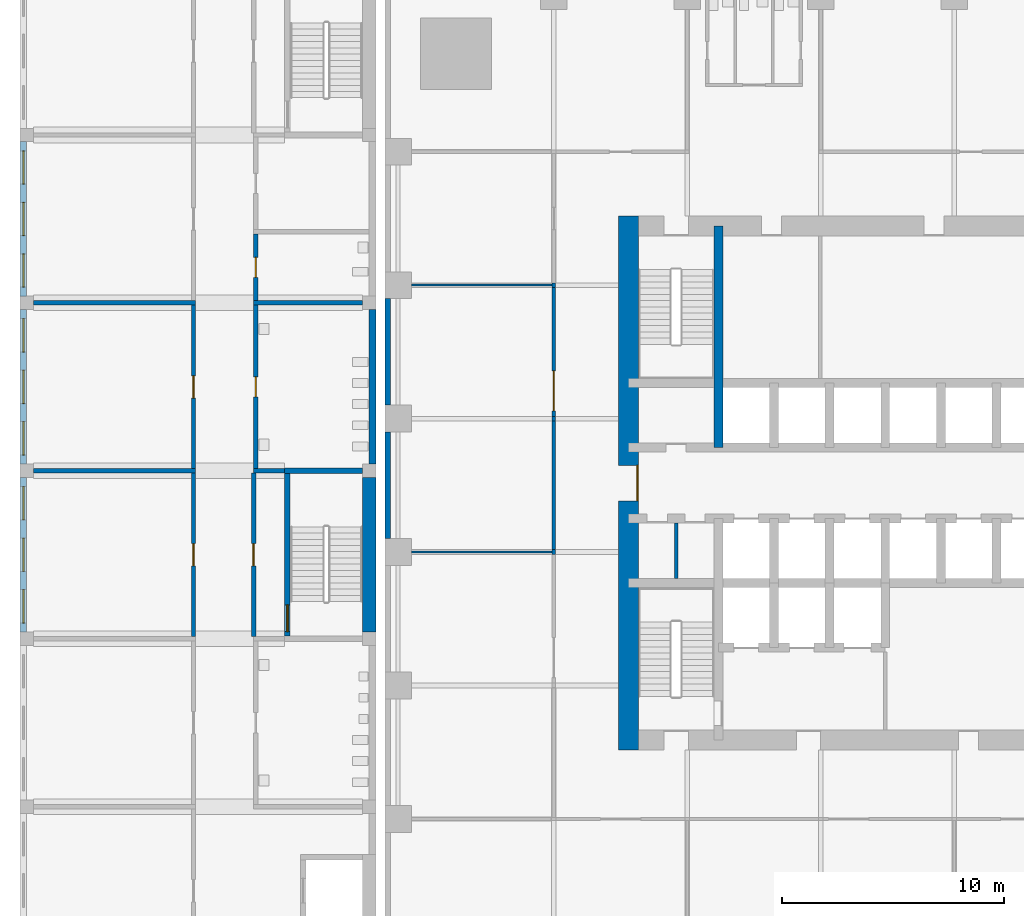
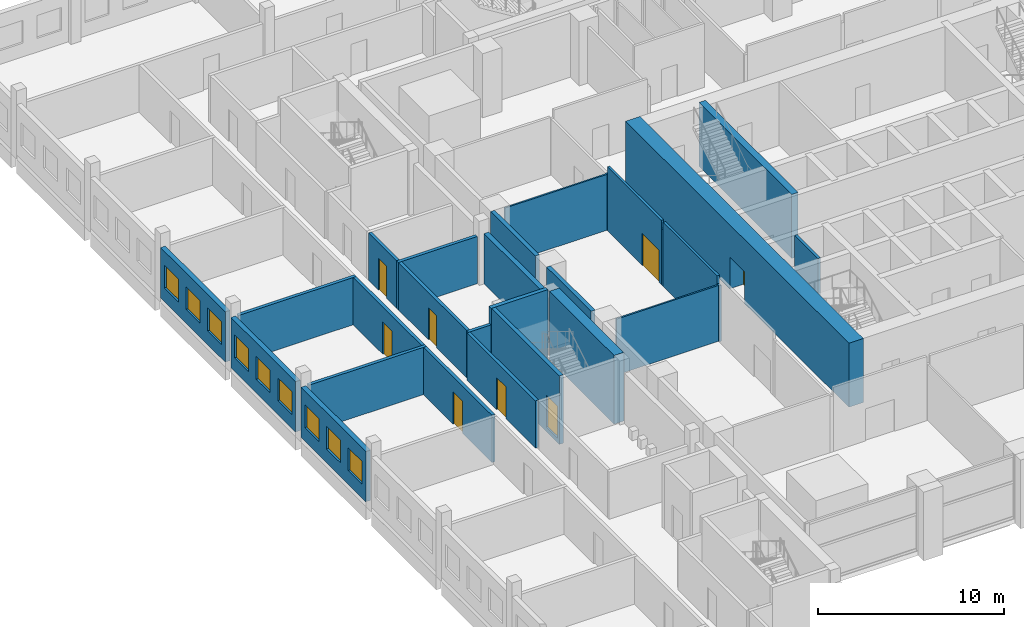
# One storey, part 20 of 34: 28 walls, 9 windows, 8 doors, 17 openings.
"""IFC4 building model written with IfcOpenShell, lengths in metres."""

from ifc_helpers import new_model, si_unit, direction, frame, frame_2d, origin, place, context, subcontext, project, spatial, rectangle, extrude, material, layer, layer_set, type_object, element, fill, save


model = new_model("IFC4")

# Units and contexts
model_context = context("Model", 3, precision=1e-05, world=origin(), true_north=direction((0.0, 1.0)))
body_context = subcontext(model_context, "Body", "Model", "MODEL_VIEW")
ifc_project = project(units=[si_unit("LENGTHUNIT", "METRE"), si_unit("AREAUNIT", "SQUARE_METRE"), si_unit("VOLUMEUNIT", "CUBIC_METRE"), si_unit("PLANEANGLEUNIT", "RADIAN"), si_unit("MASSUNIT", "GRAM", prefix="KILO")], contexts=[model_context])

# Site, building, storey
site_placement = place(None, origin())
site = spatial("IfcSite", under=ifc_project, at=site_placement, CompositionType="ELEMENT")
building_placement = place(site_placement, origin())
building = spatial("IfcBuilding", under=site, at=building_placement, Name="Amberfall Residences", CompositionType="ELEMENT")
storey_placement = place(building_placement, frame((0.0, 0.0, 5.5)))
storey = spatial("IfcBuildingStorey", under=building, at=storey_placement, Name="L01", CompositionType="ELEMENT", Elevation=5.5)

# Wall
ifc_material_1 = material(Name="Concrete C80", Category="concrete")
ifc_layer_1 = layer(ifc_material_1, 0.39990234375)
ifc_layer_set_1 = layer_set([ifc_layer_1], Name="Core wall 400 C80")
wall_type_1 = type_object("IfcWallType", Name="Core wall 400 C80", PredefinedType="SHEAR", material=ifc_layer_set_1)
wall_1_placement = place(storey_placement, frame((67.0, 47.10009765625, 0.0), z_axis=(0.0, 0.0, 1.0), x_axis=(0.0, 1.0, 0.0)))
element("IfcWall", 1, at=wall_1_placement, inside=storey, type_object=wall_type_1, Name="Core wall RW2 L01 V45N", PredefinedType="SHEAR", context=body_context, shape_type="SweptSolid", body=[
    extrude(rectangle(XDim=9.949951171875, YDim=0.39990234375, at=frame_2d((4.97509765625, 0.0))), origin(), (0.0, 0.0, 1.0), 4.199951171875),
])

# Wall, opening, door
ifc_layer_2 = layer(ifc_material_1, 0.89990234375)
ifc_layer_set_2 = layer_set([ifc_layer_2], Name="Core wall 900 C80")
wall_type_2 = type_object("IfcWallType", Name="Core wall 900 C80", PredefinedType="SHEAR", material=ifc_layer_set_2)
wall_2_placement = place(storey_placement, frame((62.949951171875, 33.5, 0.0), z_axis=(0.0, 0.0, 1.0), x_axis=(0.0, 1.0, 0.0)))
wall_2 = element("IfcWall", 2, at=wall_2_placement, inside=storey, type_object=wall_type_2, Name="Core wall RW1 L01 OW", PredefinedType="SHEAR", context=body_context, shape_type="SweptSolid", body=[
    extrude(rectangle(XDim=24.0, YDim=0.89990234375, at=frame_2d((12.0, 0.0))), origin(), (0.0, 0.0, 1.0), 4.199951171875),
])
opening_1_placement = place(wall_2_placement, frame((11.199951171875, 0.0, 0.0)))
opening_1 = element("IfcOpeningElement", 3, at=opening_1_placement, cuts=wall_2, Name="Opening LB1", PredefinedType="OPENING", context=body_context, shape_type="SweptSolid", body=[
    extrude(rectangle(XDim=1.60009765625, YDim=2.10009765625, at=frame_2d((0.800048828125, 1.050048828125))), frame((0.0, 0.4599609375, 0.0), z_axis=(0.0, -1.0, 0.0), x_axis=(1.0, 0.0, 0.0)), (0.0, 0.0, 1.0), 0.919921875),
])
ifc_material_2 = material(Name="Steel fire door set", Category="steel")
door_type_1 = type_object("IfcDoorType", Name="Lift lobby double door 1600 x 2100", OperationType="DOUBLE_DOOR_SINGLE_SWING", PredefinedType="DOOR", material=ifc_material_2)
door_1_placement = place(opening_1_placement, origin())
door_1 = element("IfcDoor", 4, at=door_1_placement, inside=storey, type_object=door_type_1, Name="LB1 L01", OperationType="DOUBLE_DOOR_SINGLE_SWING", OverallHeight=2.10009765625, OverallWidth=1.60009765625, PredefinedType="DOOR", context=body_context, shape_type="SweptSolid", body=[
    extrude(rectangle(XDim=1.60009765625, YDim=2.10009765625, at=frame_2d((0.800048828125, 1.050048828125))), frame((0.0, -0.3876953125, 0.0), z_axis=(0.0, -1.0, 0.0), x_axis=(1.0, 0.0, 0.0)), (0.0, 0.0, 1.0), 0.050048828125),
])
fill(opening_1, door_1)

# Walls
ifc_material_3 = material(Name="Gypsum board on steel studs", Category="steel")
ifc_layer_3 = layer(ifc_material_3, 0.10009765625)
ifc_layer_set_3 = layer_set([ifc_layer_3], Name="Partition 100")
wall_type_3 = type_object("IfcWallType", Name="Partition 100", PredefinedType="PARTITIONING", material=ifc_layer_set_3)
for number, where, z_axis, x_axis, name in (
    (5, (53.199951171875, 42.39990234375, 0.0), (0.0, 0.0, 1.0), (1.0, 0.0, 0.0), "Partition 100 L01 001"),
    (6, (53.199951171875, 54.39990234375, 0.0), (0.0, 0.0, 1.0), (1.0, 0.0, 0.0), "Partition 100 L01 002"),
):
    element("IfcWall", number, at=place(storey_placement, frame(where, z_axis=z_axis, x_axis=x_axis)), inside=storey, type_object=wall_type_3, Name=name, PredefinedType="PARTITIONING", context=body_context, shape_type="SweptSolid", body=[
        extrude(rectangle(XDim=6.324951171875, YDim=0.10009765625, at=frame_2d((3.16259765625, 0.0))), origin(), (0.0, 0.0, 1.0), 3.6669921875),
    ])
ifc_material_4 = material(Name="Fire-rated gypsum board on steel studs", Category="steel")
ifc_layer_4 = layer(ifc_material_4, 0.14990234375)
ifc_layer_set_4 = layer_set([ifc_layer_4], Name="Partition 150 fire-rated")
wall_type_4 = type_object("IfcWallType", Name="Partition 150 fire-rated", PredefinedType="PARTITIONING", material=ifc_layer_set_4)
wall_3_placement = place(storey_placement, frame((59.60009765625, 42.29541015625, 0.0), z_axis=(0.0, 0.0, 1.0), x_axis=(0.0, 1.0, 0.0)))
element("IfcWall", 7, at=wall_3_placement, inside=storey, type_object=wall_type_4, Name="Partition 150 fire-rated L01 031", PredefinedType="PARTITIONING", context=body_context, shape_type="SweptSolid", body=[
    extrude(rectangle(XDim=0.209228515625, YDim=0.14990234375, at=frame_2d((0.1044921875, 0.0))), origin(), (0.0, 0.0, 1.0), 3.6669921875),
])
wall_4_placement = place(storey_placement, frame((59.60009765625, 42.504638671875, 0.0), z_axis=(0.0, 0.0, 1.0), x_axis=(0.0, 1.0, 0.0)))
element("IfcWall", 8, at=wall_4_placement, inside=storey, type_object=wall_type_4, Name="Partition 150 fire-rated L01 032", PredefinedType="PARTITIONING", context=body_context, shape_type="SweptSolid", body=[
    extrude(rectangle(XDim=5.790771484375, YDim=0.14990234375, at=frame_2d((2.8955078125, 0.0))), origin(), (0.0, 0.0, 1.0), 4.199951171875),
])
wall_5_placement = place(storey_placement, frame((59.60009765625, 48.29541015625, 0.0), z_axis=(0.0, 0.0, 1.0), x_axis=(0.0, 1.0, 0.0)))
element("IfcWall", 9, at=wall_5_placement, inside=storey, type_object=wall_type_4, Name="Partition 150 fire-rated L01 033", PredefinedType="PARTITIONING", context=body_context, shape_type="SweptSolid", body=[
    extrude(rectangle(XDim=0.209228515625, YDim=0.14990234375, at=frame_2d((0.1044921875, 0.0))), origin(), (0.0, 0.0, 1.0), 3.6669921875),
])

# Wall, opening, door
wall_6_placement = place(storey_placement, frame((59.60009765625, 48.504638671875, 0.0), z_axis=(0.0, 0.0, 1.0), x_axis=(0.0, 1.0, 0.0)))
wall_6 = element("IfcWall", 10, at=wall_6_placement, inside=storey, type_object=wall_type_4, Name="Partition 150 fire-rated L01 034", PredefinedType="PARTITIONING", context=body_context, shape_type="SweptSolid", body=[
    extrude(rectangle(XDim=5.790771484375, YDim=0.14990234375, at=frame_2d((2.8955078125, 0.0))), origin(), (0.0, 0.0, 1.0), 4.199951171875),
])
opening_2_placement = place(wall_6_placement, frame((0.245361328125, 0.0, 0.0)))
opening_2 = element("IfcOpeningElement", 11, at=opening_2_placement, cuts=wall_6, Name="Opening D5", PredefinedType="OPENING", context=body_context, shape_type="SweptSolid", body=[
    extrude(rectangle(XDim=1.800048828125, YDim=2.10009765625, at=frame_2d((0.89990234375, 1.050048828125))), frame((0.0, 0.0849609375, 0.0), z_axis=(0.0, -1.0, 0.0), x_axis=(1.0, 0.0, 0.0)), (0.0, 0.0, 1.0), 0.169921875),
])
ifc_material_5 = material(Name="Timber veneer door leaf", Category="wood")
door_type_2 = type_object("IfcDoorType", Name="Double door 1800x2100", OperationType="DOUBLE_DOOR_SINGLE_SWING", PredefinedType="DOOR", material=ifc_material_5)
door_2_placement = place(opening_2_placement, origin())
door_2 = element("IfcDoor", 12, at=door_2_placement, inside=storey, type_object=door_type_2, Name="Door Table tennis room", OperationType="DOUBLE_DOOR_SINGLE_SWING", OverallHeight=2.10009765625, OverallWidth=1.800048828125, PredefinedType="DOOR", context=body_context, shape_type="SweptSolid", body=[
    extrude(rectangle(XDim=1.800048828125, YDim=2.10009765625, at=frame_2d((0.89990234375, 1.050048828125))), frame((0.0, 0.02490234375, 0.0), z_axis=(0.0, -1.0, 0.0), x_axis=(1.0, 0.0, 0.0)), (0.0, 0.0, 1.0), 0.050048828125),
])
fill(opening_2, door_2)

# Walls
wall_7_placement = place(storey_placement, frame((59.60009765625, 54.29541015625, 0.0), z_axis=(0.0, 0.0, 1.0), x_axis=(0.0, 1.0, 0.0)))
element("IfcWall", 13, at=wall_7_placement, inside=storey, type_object=wall_type_4, Name="Partition 150 fire-rated L01 035", PredefinedType="PARTITIONING", context=body_context, shape_type="SweptSolid", body=[
    extrude(rectangle(XDim=0.2041015625, YDim=0.14990234375, at=frame_2d((0.10205078125, 0.0))), origin(), (0.0, 0.0, 1.0), 3.6669921875),
])
ifc_material_6 = material(Name="Precast concrete C40", Category="concrete")
ifc_layer_5 = layer(ifc_material_6, 0.25)
ifc_layer_set_5 = layer_set([ifc_layer_5], Name="Podium external wall 250")
wall_type_5 = type_object("IfcWallType", Name="Podium external wall 250", PredefinedType="SOLIDWALL", material=ifc_layer_set_5)
for number, where, z_axis, x_axis, name in (
    (14, (52.125, 43.0, 0.0), (0.0, 0.0, 1.0), (0.0, 1.0, 0.0), "Podium external wall W4"),
    (15, (52.125, 49.0, 0.0), (0.0, 0.0, 1.0), (0.0, 1.0, 0.0), "Podium external wall W5"),
):
    element("IfcWall", number, at=place(storey_placement, frame(where, z_axis=z_axis, x_axis=x_axis)), inside=storey, type_object=wall_type_5, Name=name, PredefinedType="SOLIDWALL", context=body_context, shape_type="SweptSolid", body=[
        extrude(rectangle(XDim=4.800048828125, YDim=0.25, at=frame_2d((2.39990234375, 0.0))), origin(), (0.0, 0.0, 1.0), 4.199951171875),
    ])
ifc_material_7 = material(Name="Concrete blockwork", Category="masonry")
ifc_layer_6 = layer(ifc_material_7, 0.14990234375)
ifc_layer_set_6 = layer_set([ifc_layer_6], Name="Riser wall 150")
wall_type_6 = type_object("IfcWallType", Name="Riser wall 150", PredefinedType="PLUMBINGWALL", material=ifc_layer_set_6)
wall_8_placement = place(storey_placement, frame((65.10009765625, 41.199951171875, 0.0), z_axis=(0.0, 0.0, 1.0), x_axis=(0.0, 1.0, 0.0)))
element("IfcWall", 16, at=wall_8_placement, inside=storey, type_object=wall_type_6, Name="L01 core wall ASW0", PredefinedType="PLUMBINGWALL", context=body_context, shape_type="SweptSolid", body=[
    extrude(rectangle(XDim=2.5, YDim=0.14990234375, at=frame_2d((1.25, 0.0))), origin(), (0.0, 0.0, 1.0), 4.199951171875),
])

# Wall, openings, windows
ifc_material_8 = material(Name="Aerated block wall")
ifc_layer_7 = layer(ifc_material_8, 0.300048828125)
ifc_layer_set_7 = layer_set([ifc_layer_7], Name="School external wall 300")
wall_type_7 = type_object("IfcWallType", Name="School external wall 300", PredefinedType="SOLIDWALL", material=ifc_layer_set_7)
wall_9_placement = place(storey_placement, frame((35.75, 38.800048828125, 0.0), z_axis=(0.0, 0.0, 1.0), x_axis=(0.0, 1.0, 0.0)))
wall_9 = element("IfcWall", 17, at=wall_9_placement, inside=storey, type_object=wall_type_7, Name="School external wall L01 EW4", PredefinedType="SOLIDWALL", context=body_context, shape_type="SweptSolid", body=[
    extrude(rectangle(XDim=6.949951171875, YDim=0.300048828125, at=frame_2d((3.47509765625, 0.0))), origin(), (0.0, 0.0, 1.0), 3.300048828125),
])
opening_3_placement = place(wall_9_placement, frame((0.408203125, 0.0, 0.89990234375)))
opening_3 = element("IfcOpeningElement", 18, at=opening_3_placement, cuts=wall_9, Name="Opening SWN1", PredefinedType="OPENING", context=body_context, shape_type="SweptSolid", body=[
    extrude(rectangle(XDim=1.5, YDim=1.5, at=frame_2d((0.75, 0.75))), frame((0.0, 0.159912109375, 0.0), z_axis=(0.0, -1.0, 0.0), x_axis=(1.0, 0.0, 0.0)), (0.0, 0.0, 1.0), 0.320068359375),
])
opening_4_placement = place(wall_9_placement, frame((2.72509765625, 0.0, 0.89990234375)))
opening_4 = element("IfcOpeningElement", 19, at=opening_4_placement, cuts=wall_9, Name="Opening SWN1", PredefinedType="OPENING", context=body_context, shape_type="SweptSolid", body=[
    extrude(rectangle(XDim=1.5, YDim=1.5, at=frame_2d((0.75, 0.75))), frame((0.0, 0.159912109375, 0.0), z_axis=(0.0, -1.0, 0.0), x_axis=(1.0, 0.0, 0.0)), (0.0, 0.0, 1.0), 0.320068359375),
])
opening_5_placement = place(wall_9_placement, frame((5.041748046875, 0.0, 0.89990234375)))
opening_5 = element("IfcOpeningElement", 20, at=opening_5_placement, cuts=wall_9, Name="Opening SWN1", PredefinedType="OPENING", context=body_context, shape_type="SweptSolid", body=[
    extrude(rectangle(XDim=1.5, YDim=1.5, at=frame_2d((0.75, 0.75))), frame((0.0, 0.159912109375, 0.0), z_axis=(0.0, -1.0, 0.0), x_axis=(1.0, 0.0, 0.0)), (0.0, 0.0, 1.0), 0.320068359375),
])
ifc_material_9 = material(Name="Aluminium window", Category="aluminium")
window_type = type_object("IfcWindowType", Name="School window 1500 x 1500", PartitioningType="DOUBLE_PANEL_HORIZONTAL", PredefinedType="WINDOW", material=ifc_material_9)
window_1_placement = place(opening_3_placement, origin())
window_1 = element("IfcWindow", 21, at=window_1_placement, inside=storey, type_object=window_type, Name="School window L01 EW4-1", OverallHeight=1.5, OverallWidth=1.5, PartitioningType="DOUBLE_PANEL_HORIZONTAL", PredefinedType="WINDOW", context=body_context, shape_type="SweptSolid", body=[
    extrude(rectangle(XDim=1.5, YDim=1.5, at=frame_2d((0.75, 0.75))), frame((0.0, 0.030029296875, 0.0), z_axis=(0.0, -1.0, 0.0), x_axis=(1.0, 0.0, 0.0)), (0.0, 0.0, 1.0), 0.06005859375),
])
fill(opening_3, window_1)
window_2_placement = place(opening_4_placement, origin())
window_2 = element("IfcWindow", 22, at=window_2_placement, inside=storey, type_object=window_type, Name="School window L01 EW4-2", OverallHeight=1.5, OverallWidth=1.5, PartitioningType="DOUBLE_PANEL_HORIZONTAL", PredefinedType="WINDOW", context=body_context, shape_type="SweptSolid", body=[
    extrude(rectangle(XDim=1.5, YDim=1.5, at=frame_2d((0.75, 0.75))), frame((0.0, 0.030029296875, 0.0), z_axis=(0.0, -1.0, 0.0), x_axis=(1.0, 0.0, 0.0)), (0.0, 0.0, 1.0), 0.06005859375),
])
fill(opening_4, window_2)
window_3_placement = place(opening_5_placement, origin())
window_3 = element("IfcWindow", 23, at=window_3_placement, inside=storey, type_object=window_type, Name="School window L01 EW4-3", OverallHeight=1.5, OverallWidth=1.5, PartitioningType="DOUBLE_PANEL_HORIZONTAL", PredefinedType="WINDOW", context=body_context, shape_type="SweptSolid", body=[
    extrude(rectangle(XDim=1.5, YDim=1.5, at=frame_2d((0.75, 0.75))), frame((0.0, 0.030029296875, 0.0), z_axis=(0.0, -1.0, 0.0), x_axis=(1.0, 0.0, 0.0)), (0.0, 0.0, 1.0), 0.06005859375),
])
fill(opening_5, window_3)

wall_10_placement = place(storey_placement, frame((35.75, 46.35009765625, 0.0), z_axis=(0.0, 0.0, 1.0), x_axis=(0.0, 1.0, 0.0)))
wall_10 = element("IfcWall", 24, at=wall_10_placement, inside=storey, type_object=wall_type_7, Name="School external wall L01 EW5", PredefinedType="SOLIDWALL", context=body_context, shape_type="SweptSolid", body=[
    extrude(rectangle(XDim=6.949951171875, YDim=0.300048828125, at=frame_2d((3.47509765625, 0.0))), origin(), (0.0, 0.0, 1.0), 3.300048828125),
])
opening_6_placement = place(wall_10_placement, frame((0.408203125, 0.0, 0.89990234375)))
opening_6 = element("IfcOpeningElement", 25, at=opening_6_placement, cuts=wall_10, Name="Opening SWN1", PredefinedType="OPENING", context=body_context, shape_type="SweptSolid", body=[
    extrude(rectangle(XDim=1.5, YDim=1.5, at=frame_2d((0.75, 0.75))), frame((0.0, 0.159912109375, 0.0), z_axis=(0.0, -1.0, 0.0), x_axis=(1.0, 0.0, 0.0)), (0.0, 0.0, 1.0), 0.320068359375),
])
opening_7_placement = place(wall_10_placement, frame((2.72509765625, 0.0, 0.89990234375)))
opening_7 = element("IfcOpeningElement", 26, at=opening_7_placement, cuts=wall_10, Name="Opening SWN1", PredefinedType="OPENING", context=body_context, shape_type="SweptSolid", body=[
    extrude(rectangle(XDim=1.5, YDim=1.5, at=frame_2d((0.75, 0.75))), frame((0.0, 0.159912109375, 0.0), z_axis=(0.0, -1.0, 0.0), x_axis=(1.0, 0.0, 0.0)), (0.0, 0.0, 1.0), 0.320068359375),
])
opening_8_placement = place(wall_10_placement, frame((5.041748046875, 0.0, 0.89990234375)))
opening_8 = element("IfcOpeningElement", 27, at=opening_8_placement, cuts=wall_10, Name="Opening SWN1", PredefinedType="OPENING", context=body_context, shape_type="SweptSolid", body=[
    extrude(rectangle(XDim=1.5, YDim=1.5, at=frame_2d((0.75, 0.75))), frame((0.0, 0.159912109375, 0.0), z_axis=(0.0, -1.0, 0.0), x_axis=(1.0, 0.0, 0.0)), (0.0, 0.0, 1.0), 0.320068359375),
])
window_4_placement = place(opening_6_placement, origin())
window_4 = element("IfcWindow", 28, at=window_4_placement, inside=storey, type_object=window_type, Name="School window L01 EW5-1", OverallHeight=1.5, OverallWidth=1.5, PartitioningType="DOUBLE_PANEL_HORIZONTAL", PredefinedType="WINDOW", context=body_context, shape_type="SweptSolid", body=[
    extrude(rectangle(XDim=1.5, YDim=1.5, at=frame_2d((0.75, 0.75))), frame((0.0, 0.030029296875, 0.0), z_axis=(0.0, -1.0, 0.0), x_axis=(1.0, 0.0, 0.0)), (0.0, 0.0, 1.0), 0.06005859375),
])
fill(opening_6, window_4)
window_5_placement = place(opening_7_placement, origin())
window_5 = element("IfcWindow", 29, at=window_5_placement, inside=storey, type_object=window_type, Name="School window L01 EW5-2", OverallHeight=1.5, OverallWidth=1.5, PartitioningType="DOUBLE_PANEL_HORIZONTAL", PredefinedType="WINDOW", context=body_context, shape_type="SweptSolid", body=[
    extrude(rectangle(XDim=1.5, YDim=1.5, at=frame_2d((0.75, 0.75))), frame((0.0, 0.030029296875, 0.0), z_axis=(0.0, -1.0, 0.0), x_axis=(1.0, 0.0, 0.0)), (0.0, 0.0, 1.0), 0.06005859375),
])
fill(opening_7, window_5)
window_6_placement = place(opening_8_placement, origin())
window_6 = element("IfcWindow", 30, at=window_6_placement, inside=storey, type_object=window_type, Name="School window L01 EW5-3", OverallHeight=1.5, OverallWidth=1.5, PartitioningType="DOUBLE_PANEL_HORIZONTAL", PredefinedType="WINDOW", context=body_context, shape_type="SweptSolid", body=[
    extrude(rectangle(XDim=1.5, YDim=1.5, at=frame_2d((0.75, 0.75))), frame((0.0, 0.030029296875, 0.0), z_axis=(0.0, -1.0, 0.0), x_axis=(1.0, 0.0, 0.0)), (0.0, 0.0, 1.0), 0.06005859375),
])
fill(opening_8, window_6)

wall_11_placement = place(storey_placement, frame((35.75, 53.89990234375, 0.0), z_axis=(0.0, 0.0, 1.0), x_axis=(0.0, 1.0, 0.0)))
wall_11 = element("IfcWall", 31, at=wall_11_placement, inside=storey, type_object=wall_type_7, Name="School external wall L01 EW6", PredefinedType="SOLIDWALL", context=body_context, shape_type="SweptSolid", body=[
    extrude(rectangle(XDim=6.9501953125, YDim=0.300048828125, at=frame_2d((3.47509765625, 0.0))), origin(), (0.0, 0.0, 1.0), 3.300048828125),
])
opening_9_placement = place(wall_11_placement, frame((0.408203125, 0.0, 0.89990234375)))
opening_9 = element("IfcOpeningElement", 32, at=opening_9_placement, cuts=wall_11, Name="Opening SWN1", PredefinedType="OPENING", context=body_context, shape_type="SweptSolid", body=[
    extrude(rectangle(XDim=1.5, YDim=1.5, at=frame_2d((0.75, 0.75))), frame((0.0, 0.159912109375, 0.0), z_axis=(0.0, -1.0, 0.0), x_axis=(1.0, 0.0, 0.0)), (0.0, 0.0, 1.0), 0.320068359375),
])
opening_10_placement = place(wall_11_placement, frame((2.72509765625, 0.0, 0.89990234375)))
opening_10 = element("IfcOpeningElement", 33, at=opening_10_placement, cuts=wall_11, Name="Opening SWN1", PredefinedType="OPENING", context=body_context, shape_type="SweptSolid", body=[
    extrude(rectangle(XDim=1.5, YDim=1.5, at=frame_2d((0.75, 0.75))), frame((0.0, 0.159912109375, 0.0), z_axis=(0.0, -1.0, 0.0), x_axis=(1.0, 0.0, 0.0)), (0.0, 0.0, 1.0), 0.320068359375),
])
opening_11_placement = place(wall_11_placement, frame((5.041748046875, 0.0, 0.89990234375)))
opening_11 = element("IfcOpeningElement", 34, at=opening_11_placement, cuts=wall_11, Name="Opening SWN1", PredefinedType="OPENING", context=body_context, shape_type="SweptSolid", body=[
    extrude(rectangle(XDim=1.5, YDim=1.5, at=frame_2d((0.75, 0.75))), frame((0.0, 0.159912109375, 0.0), z_axis=(0.0, -1.0, 0.0), x_axis=(1.0, 0.0, 0.0)), (0.0, 0.0, 1.0), 0.320068359375),
])
window_7_placement = place(opening_9_placement, origin())
window_7 = element("IfcWindow", 35, at=window_7_placement, inside=storey, type_object=window_type, Name="School window L01 EW6-1", OverallHeight=1.5, OverallWidth=1.5, PartitioningType="DOUBLE_PANEL_HORIZONTAL", PredefinedType="WINDOW", context=body_context, shape_type="SweptSolid", body=[
    extrude(rectangle(XDim=1.5, YDim=1.5, at=frame_2d((0.75, 0.75))), frame((0.0, 0.030029296875, 0.0), z_axis=(0.0, -1.0, 0.0), x_axis=(1.0, 0.0, 0.0)), (0.0, 0.0, 1.0), 0.06005859375),
])
fill(opening_9, window_7)
window_8_placement = place(opening_10_placement, origin())
window_8 = element("IfcWindow", 36, at=window_8_placement, inside=storey, type_object=window_type, Name="School window L01 EW6-2", OverallHeight=1.5, OverallWidth=1.5, PartitioningType="DOUBLE_PANEL_HORIZONTAL", PredefinedType="WINDOW", context=body_context, shape_type="SweptSolid", body=[
    extrude(rectangle(XDim=1.5, YDim=1.5, at=frame_2d((0.75, 0.75))), frame((0.0, 0.030029296875, 0.0), z_axis=(0.0, -1.0, 0.0), x_axis=(1.0, 0.0, 0.0)), (0.0, 0.0, 1.0), 0.06005859375),
])
fill(opening_10, window_8)
window_9_placement = place(opening_11_placement, origin())
window_9 = element("IfcWindow", 37, at=window_9_placement, inside=storey, type_object=window_type, Name="School window L01 EW6-3", OverallHeight=1.5, OverallWidth=1.5, PartitioningType="DOUBLE_PANEL_HORIZONTAL", PredefinedType="WINDOW", context=body_context, shape_type="SweptSolid", body=[
    extrude(rectangle(XDim=1.5, YDim=1.5, at=frame_2d((0.75, 0.75))), frame((0.0, 0.030029296875, 0.0), z_axis=(0.0, -1.0, 0.0), x_axis=(1.0, 0.0, 0.0)), (0.0, 0.0, 1.0), 0.06005859375),
])
fill(opening_11, window_9)

# Wall
wall_12_placement = place(storey_placement, frame((51.449951171875, 46.35009765625, 0.0), z_axis=(0.0, 0.0, 1.0), x_axis=(0.0, 1.0, 0.0)))
element("IfcWall", 38, at=wall_12_placement, inside=storey, type_object=wall_type_7, Name="School external wall L01 ET5", PredefinedType="SOLIDWALL", context=body_context, shape_type="SweptSolid", body=[
    extrude(rectangle(XDim=6.949951171875, YDim=0.300048828125, at=frame_2d((3.47509765625, 0.0))), origin(), (0.0, 0.0, 1.0), 3.300048828125),
])

# Wall, opening, door
ifc_layer_8 = layer(ifc_material_8, 0.199951171875)
ifc_layer_set_8 = layer_set([ifc_layer_8], Name="School partition 200")
wall_type_8 = type_object("IfcWallType", Name="School partition 200", PredefinedType="PARTITIONING", material=ifc_layer_set_8)
wall_13_placement = place(storey_placement, frame((43.39990234375, 38.60009765625, 0.0), z_axis=(0.0, 0.0, 1.0), x_axis=(0.0, 1.0, 0.0)))
wall_13 = element("IfcWall", 39, at=wall_13_placement, inside=storey, type_object=wall_type_8, Name="School partition L01 CWW4", PredefinedType="PARTITIONING", context=body_context, shape_type="SweptSolid", body=[
    extrude(rectangle(XDim=7.349853515625, YDim=0.199951171875, at=frame_2d((3.6748046875, 0.0))), origin(), (0.0, 0.0, 1.0), 3.10009765625),
])
opening_12_placement = place(wall_13_placement, frame((3.175048828125, 0.0, 0.0)))
opening_12 = element("IfcOpeningElement", 40, at=opening_12_placement, cuts=wall_13, Name="Opening SD5", PredefinedType="OPENING", context=body_context, shape_type="SweptSolid", body=[
    extrude(rectangle(XDim=1.0, YDim=2.10009765625, at=frame_2d((0.5, 1.050048828125))), frame((0.0, 0.10986328125, 0.0), z_axis=(0.0, -1.0, 0.0), x_axis=(1.0, 0.0, 0.0)), (0.0, 0.0, 1.0), 0.219970703125),
])
ifc_material_10 = material(Name="Timber door", Category="wood")
door_type_3 = type_object("IfcDoorType", Name="School classroom door 1000 x 2100", OperationType="SINGLE_SWING_LEFT", PredefinedType="DOOR", material=ifc_material_10)
door_3_placement = place(opening_12_placement, origin())
door_3 = element("IfcDoor", 41, at=door_3_placement, inside=storey, type_object=door_type_3, Name="School door L01 CWW4-1", OperationType="SINGLE_SWING_LEFT", OverallHeight=2.10009765625, OverallWidth=1.0, PredefinedType="DOOR", context=body_context, shape_type="SweptSolid", body=[
    extrude(rectangle(XDim=1.0, YDim=2.10009765625, at=frame_2d((0.5, 1.050048828125))), frame((0.0, 0.02490234375, 0.0), z_axis=(0.0, -1.0, 0.0), x_axis=(1.0, 0.0, 0.0)), (0.0, 0.0, 1.0), 0.050048828125),
])
fill(opening_12, door_3)

wall_14_placement = place(storey_placement, frame((43.39990234375, 46.14990234375, 0.0), z_axis=(0.0, 0.0, 1.0), x_axis=(0.0, 1.0, 0.0)))
wall_14 = element("IfcWall", 42, at=wall_14_placement, inside=storey, type_object=wall_type_8, Name="School partition L01 CWW5", PredefinedType="PARTITIONING", context=body_context, shape_type="SweptSolid", body=[
    extrude(rectangle(XDim=7.35009765625, YDim=0.199951171875, at=frame_2d((3.675048828125, 0.0))), origin(), (0.0, 0.0, 1.0), 3.10009765625),
])
opening_13_placement = place(wall_14_placement, frame((3.175048828125, 0.0, 0.0)))
opening_13 = element("IfcOpeningElement", 43, at=opening_13_placement, cuts=wall_14, Name="Opening SD5", PredefinedType="OPENING", context=body_context, shape_type="SweptSolid", body=[
    extrude(rectangle(XDim=1.0, YDim=2.10009765625, at=frame_2d((0.5, 1.050048828125))), frame((0.0, 0.10986328125, 0.0), z_axis=(0.0, -1.0, 0.0), x_axis=(1.0, 0.0, 0.0)), (0.0, 0.0, 1.0), 0.219970703125),
])
door_4_placement = place(opening_13_placement, origin())
door_4 = element("IfcDoor", 44, at=door_4_placement, inside=storey, type_object=door_type_3, Name="School door L01 CWW5-1", OperationType="SINGLE_SWING_LEFT", OverallHeight=2.10009765625, OverallWidth=1.0, PredefinedType="DOOR", context=body_context, shape_type="SweptSolid", body=[
    extrude(rectangle(XDim=1.0, YDim=2.10009765625, at=frame_2d((0.5, 1.050048828125))), frame((0.0, 0.02490234375, 0.0), z_axis=(0.0, -1.0, 0.0), x_axis=(1.0, 0.0, 0.0)), (0.0, 0.0, 1.0), 0.050048828125),
])
fill(opening_13, door_4)

# Walls
for number, where, z_axis, x_axis, name in (
    (45, (36.199951171875, 46.050048828125, 0.0), (0.0, 0.0, 1.0), (1.0, 0.0, 0.0), "School partition L01 PW4605"),
    (46, (36.199951171875, 53.60009765625, 0.0), (0.0, 0.0, 1.0), (1.0, 0.0, 0.0), "School partition L01 PW5360"),
):
    element("IfcWall", number, at=place(storey_placement, frame(where, z_axis=z_axis, x_axis=x_axis)), inside=storey, type_object=wall_type_8, Name=name, PredefinedType="PARTITIONING", context=body_context, shape_type="SweptSolid", body=[
        extrude(rectangle(XDim=7.300048828125, YDim=0.199951171875, at=frame_2d((3.64990234375, 0.0))), origin(), (0.0, 0.0, 1.0), 3.10009765625),
    ])

# Wall, opening, door
wall_15_placement = place(storey_placement, frame((46.199951171875, 46.14990234375, 0.0), z_axis=(0.0, 0.0, 1.0), x_axis=(0.0, 1.0, 0.0)))
wall_15 = element("IfcWall", 47, at=wall_15_placement, inside=storey, type_object=wall_type_8, Name="School partition L01 CWE546", PredefinedType="PARTITIONING", context=body_context, shape_type="SweptSolid", body=[
    extrude(rectangle(XDim=7.35009765625, YDim=0.199951171875, at=frame_2d((3.675048828125, 0.0))), origin(), (0.0, 0.0, 1.0), 3.10009765625),
])
opening_14_placement = place(wall_15_placement, frame((3.22509765625, 0.0, 0.0)))
opening_14 = element("IfcOpeningElement", 48, at=opening_14_placement, cuts=wall_15, Name="Opening SD2", PredefinedType="OPENING", context=body_context, shape_type="SweptSolid", body=[
    extrude(rectangle(XDim=0.89990234375, YDim=2.10009765625, at=frame_2d((0.449951171875, 1.050048828125))), frame((0.0, 0.10986328125, 0.0), z_axis=(0.0, -1.0, 0.0), x_axis=(1.0, 0.0, 0.0)), (0.0, 0.0, 1.0), 0.219970703125),
])
door_type_4 = type_object("IfcDoorType", Name="School WC door 900 x 2100", OperationType="SINGLE_SWING_LEFT", PredefinedType="DOOR", material=ifc_material_10)
door_5_placement = place(opening_14_placement, origin())
door_5 = element("IfcDoor", 49, at=door_5_placement, inside=storey, type_object=door_type_4, Name="School door L01 CWE546-1", OperationType="SINGLE_SWING_LEFT", OverallHeight=2.10009765625, OverallWidth=0.89990234375, PredefinedType="DOOR", context=body_context, shape_type="SweptSolid", body=[
    extrude(rectangle(XDim=0.89990234375, YDim=2.10009765625, at=frame_2d((0.449951171875, 1.050048828125))), frame((0.0, 0.02490234375, 0.0), z_axis=(0.0, -1.0, 0.0), x_axis=(1.0, 0.0, 0.0)), (0.0, 0.0, 1.0), 0.050048828125),
])
fill(opening_14, door_5)

wall_16_placement = place(storey_placement, frame((46.199951171875, 53.699951171875, 0.0), z_axis=(0.0, 0.0, 1.0), x_axis=(0.0, 1.0, 0.0)))
wall_16 = element("IfcWall", 50, at=wall_16_placement, inside=storey, type_object=wall_type_8, Name="School partition L01 CWE654", PredefinedType="PARTITIONING", context=body_context, shape_type="SweptSolid", body=[
    extrude(rectangle(XDim=3.0, YDim=0.199951171875, at=frame_2d((1.5, 0.0))), origin(), (0.0, 0.0, 1.0), 3.10009765625),
])
opening_15_placement = place(wall_16_placement, frame((1.050048828125, 0.0, 0.0)))
opening_15 = element("IfcOpeningElement", 51, at=opening_15_placement, cuts=wall_16, Name="Opening SD2", PredefinedType="OPENING", context=body_context, shape_type="SweptSolid", body=[
    extrude(rectangle(XDim=0.89990234375, YDim=2.10009765625, at=frame_2d((0.449951171875, 1.050048828125))), frame((0.0, 0.10986328125, 0.0), z_axis=(0.0, -1.0, 0.0), x_axis=(1.0, 0.0, 0.0)), (0.0, 0.0, 1.0), 0.219970703125),
])
door_6_placement = place(opening_15_placement, origin())
door_6 = element("IfcDoor", 52, at=door_6_placement, inside=storey, type_object=door_type_4, Name="School door L01 CWE654-1", OperationType="SINGLE_SWING_LEFT", OverallHeight=2.10009765625, OverallWidth=0.89990234375, PredefinedType="DOOR", context=body_context, shape_type="SweptSolid", body=[
    extrude(rectangle(XDim=0.89990234375, YDim=2.10009765625, at=frame_2d((0.449951171875, 1.050048828125))), frame((0.0, 0.02490234375, 0.0), z_axis=(0.0, -1.0, 0.0), x_axis=(1.0, 0.0, 0.0)), (0.0, 0.0, 1.0), 0.050048828125),
])
fill(opening_15, door_6)

# Walls
wall_17_placement = place(storey_placement, frame((46.10009765625, 46.050048828125, 0.0), z_axis=(0.0, 0.0, 1.0), x_axis=(1.0, 0.0, 0.0)))
element("IfcWall", 53, at=wall_17_placement, inside=storey, type_object=wall_type_8, Name="School partition L01 PEA5", PredefinedType="PARTITIONING", context=body_context, shape_type="SweptSolid", body=[
    extrude(rectangle(XDim=1.39990234375, YDim=0.199951171875, at=frame_2d((0.699951171875, 0.0))), origin(), (0.0, 0.0, 1.0), 3.10009765625),
])
wall_18_placement = place(storey_placement, frame((46.10009765625, 53.60009765625, 0.0), z_axis=(0.0, 0.0, 1.0), x_axis=(1.0, 0.0, 0.0)))
element("IfcWall", 54, at=wall_18_placement, inside=storey, type_object=wall_type_8, Name="School partition L01 PE6", PredefinedType="PARTITIONING", context=body_context, shape_type="SweptSolid", body=[
    extrude(rectangle(XDim=4.89990234375, YDim=0.199951171875, at=frame_2d((2.449951171875, 0.0))), origin(), (0.0, 0.0, 1.0), 3.10009765625),
])

# Wall, opening, door
wall_19_placement = place(storey_placement, frame((46.10009765625, 38.60009765625, 0.0), z_axis=(0.0, 0.0, 1.0), x_axis=(0.0, 1.0, 0.0)))
wall_19 = element("IfcWall", 55, at=wall_19_placement, inside=storey, type_object=wall_type_8, Name="School partition L01 CWLSS2", PredefinedType="PARTITIONING", context=body_context, shape_type="SweptSolid", body=[
    extrude(rectangle(XDim=7.349853515625, YDim=0.199951171875, at=frame_2d((3.6748046875, 0.0))), origin(), (0.0, 0.0, 1.0), 3.10009765625),
])
opening_16_placement = place(wall_19_placement, frame((3.175048828125, 0.0, 0.0)))
opening_16 = element("IfcOpeningElement", 56, at=opening_16_placement, cuts=wall_19, Name="Opening SD8", PredefinedType="OPENING", context=body_context, shape_type="SweptSolid", body=[
    extrude(rectangle(XDim=1.0, YDim=2.10009765625, at=frame_2d((0.5, 1.050048828125))), frame((0.0, 0.10986328125, 0.0), z_axis=(0.0, -1.0, 0.0), x_axis=(1.0, 0.0, 0.0)), (0.0, 0.0, 1.0), 0.219970703125),
])
door_type_5 = type_object("IfcDoorType", Name="School lobby door 1000 x 2100", OperationType="SINGLE_SWING_LEFT", PredefinedType="DOOR", material=ifc_material_10)
door_7_placement = place(opening_16_placement, origin())
door_7 = element("IfcDoor", 57, at=door_7_placement, inside=storey, type_object=door_type_5, Name="School door L01 CWLSS2-1", OperationType="SINGLE_SWING_LEFT", OverallHeight=2.10009765625, OverallWidth=1.0, PredefinedType="DOOR", context=body_context, shape_type="SweptSolid", body=[
    extrude(rectangle(XDim=1.0, YDim=2.10009765625, at=frame_2d((0.5, 1.050048828125))), frame((0.0, 0.02490234375, 0.0), z_axis=(0.0, -1.0, 0.0), x_axis=(1.0, 0.0, 0.0)), (0.0, 0.0, 1.0), 0.050048828125),
])
fill(opening_16, door_7)

ifc_material_11 = material(Name="Concrete C50", Category="concrete")
ifc_layer_9 = layer(ifc_material_11, 0.25)
ifc_layer_set_9 = layer_set([ifc_layer_9], Name="School stair core wall 250 C50")
wall_type_9 = type_object("IfcWallType", Name="School stair core wall 250 C50", PredefinedType="SHEAR", material=ifc_layer_set_9)
wall_20_placement = place(storey_placement, frame((47.625, 38.625, -0.300048828125), z_axis=(0.0, 0.0, 1.0), x_axis=(0.0, 1.0, 0.0)))
wall_20 = element("IfcWall", 58, at=wall_20_placement, inside=storey, type_object=wall_type_9, Name="School core wall L01 SS2W", PredefinedType="SHEAR", context=body_context, shape_type="SweptSolid", body=[
    extrude(rectangle(XDim=7.300048828125, YDim=0.25, at=frame_2d((3.64990234375, 0.0))), origin(), (0.0, 0.0, 1.0), 4.5),
])
opening_17_placement = place(wall_20_placement, frame((0.199951171875, 0.0, 0.300048828125)))
opening_17 = element("IfcOpeningElement", 59, at=opening_17_placement, cuts=wall_20, Name="Opening SD4", PredefinedType="OPENING", context=body_context, shape_type="SweptSolid", body=[
    extrude(rectangle(XDim=1.199951171875, YDim=2.10009765625, at=frame_2d((0.60009765625, 1.050048828125))), frame((0.0, 0.135009765625, 0.0), z_axis=(0.0, -1.0, 0.0), x_axis=(1.0, 0.0, 0.0)), (0.0, 0.0, 1.0), 0.27001953125),
])
ifc_material_12 = material(Name="Steel fire door", Category="steel")
door_type_6 = type_object("IfcDoorType", Name="School stair door 1200 x 2100 FD120", OperationType="SINGLE_SWING_LEFT", PredefinedType="DOOR", material=ifc_material_12)
door_8_placement = place(opening_17_placement, origin())
door_8 = element("IfcDoor", 60, at=door_8_placement, inside=storey, type_object=door_type_6, Name="School stair door L01 SS2", OperationType="SINGLE_SWING_LEFT", OverallHeight=2.10009765625, OverallWidth=1.199951171875, PredefinedType="DOOR", context=body_context, shape_type="SweptSolid", body=[
    extrude(rectangle(XDim=1.199951171875, YDim=2.10009765625, at=frame_2d((0.60009765625, 1.050048828125))), frame((0.0, 0.02490234375, 0.0), z_axis=(0.0, -1.0, 0.0), x_axis=(1.0, 0.0, 0.0)), (0.0, 0.0, 1.0), 0.050048828125),
])
fill(opening_17, door_8)

# Walls
wall_21_placement = place(storey_placement, frame((47.5, 46.050048828125, -0.300048828125), z_axis=(0.0, 0.0, 1.0), x_axis=(1.0, 0.0, 0.0)))
element("IfcWall", 61, at=wall_21_placement, inside=storey, type_object=wall_type_9, Name="School core wall L01 SS2N", PredefinedType="SHEAR", context=body_context, shape_type="SweptSolid", body=[
    extrude(rectangle(XDim=3.5, YDim=0.25, at=frame_2d((1.75, 0.0))), origin(), (0.0, 0.0, 1.0), 4.5),
])
ifc_layer_10 = layer(ifc_material_11, 0.60009765625)
ifc_layer_set_10 = layer_set([ifc_layer_10], Name="School tower-side core wall 600 C50")
wall_type_10 = type_object("IfcWallType", Name="School tower-side core wall 600 C50", PredefinedType="SHEAR", material=ifc_layer_set_10)
wall_22_placement = place(storey_placement, frame((51.300048828125, 38.800048828125, -0.300048828125), z_axis=(0.0, 0.0, 1.0), x_axis=(0.0, 1.0, 0.0)))
element("IfcWall", 62, at=wall_22_placement, inside=storey, type_object=wall_type_10, Name="School core wall L01 SS2E", PredefinedType="SHEAR", context=body_context, shape_type="SweptSolid", body=[
    extrude(rectangle(XDim=6.949951171875, YDim=0.60009765625, at=frame_2d((3.47509765625, 0.0))), origin(), (0.0, 0.0, 1.0), 4.5),
])

save(model, "model.ifc")
